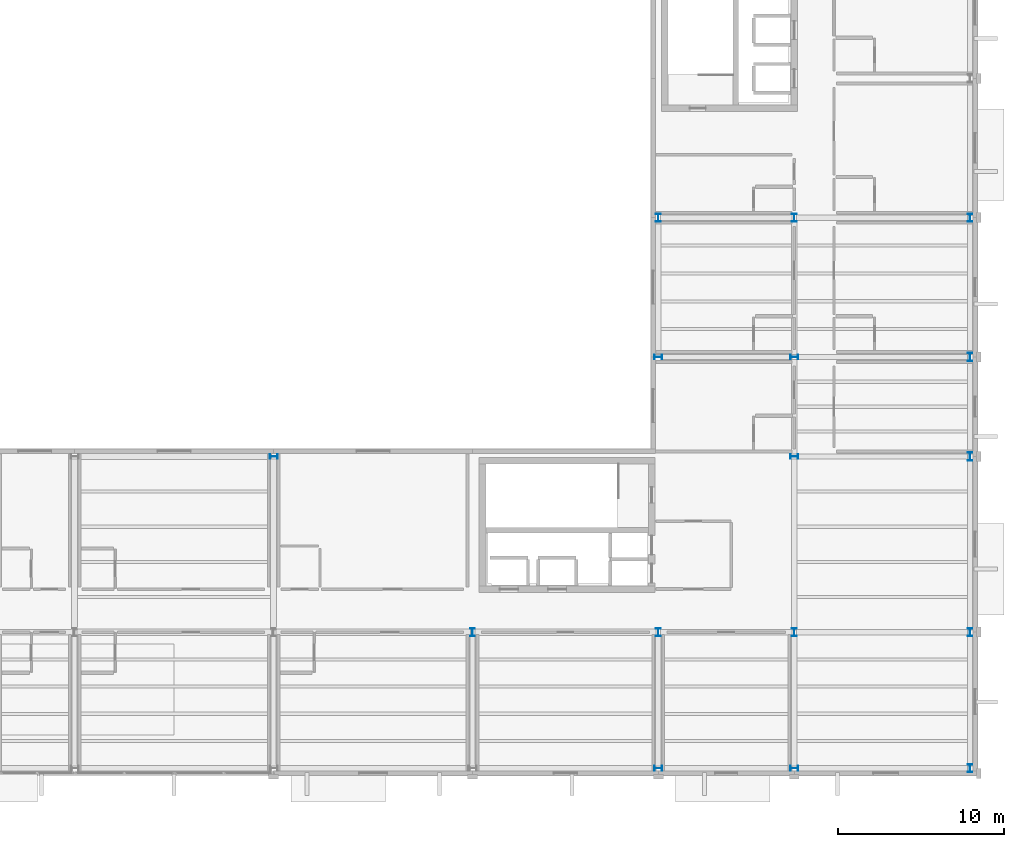
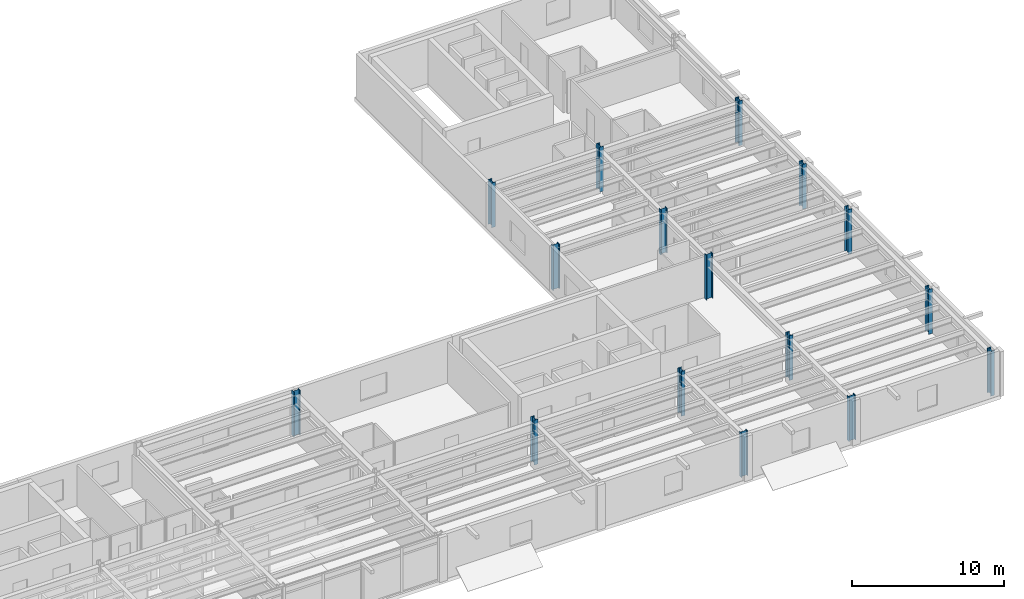
# One storey, part 2 of 19: 16 columns.
"""IFC4 building model written with IfcOpenShell, lengths in metres."""

from ifc_helpers import new_model, si_unit, direction, frame, origin, origin_2d, place, context, subcontext, project, spatial, i_section, extrude, material, material_profile, profile_set, type_object, element, save


model = new_model("IFC4")

# Units and contexts
model_context = context("Model", 3, precision=1e-05, world=origin(), true_north=direction((0.0, 1.0)))
body_context = subcontext(model_context, "Body", "Model", "MODEL_VIEW")
ifc_project = project(units=[si_unit("LENGTHUNIT", "METRE"), si_unit("AREAUNIT", "SQUARE_METRE"), si_unit("VOLUMEUNIT", "CUBIC_METRE"), si_unit("PLANEANGLEUNIT", "RADIAN"), si_unit("MASSUNIT", "GRAM", prefix="KILO")], contexts=[model_context])

# Site, building, storey
site_placement = place(None, origin())
site = spatial("IfcSite", under=ifc_project, at=site_placement, CompositionType="ELEMENT")
building_placement = place(site_placement, origin())
building = spatial("IfcBuilding", under=site, at=building_placement, Name="Sollismere Congress Hotel", CompositionType="ELEMENT")
storey_placement = place(building_placement, frame((0.0, 0.0, 44.60009765625)))
storey = spatial("IfcBuildingStorey", under=building, at=storey_placement, Name="L11", CompositionType="ELEMENT", Elevation=44.60009765625)

# Columns
ifc_material = material(Name="Steel ASTM A992 Grade 50", Category="steel")
ifc_material_profile = material_profile(ifc_material, i_section(OverallWidth=0.283935546875, OverallDepth=0.4951171875, WebThickness=0.0185546875, FlangeThickness=0.033447265625, at=origin_2d()), Name="W18X143")
ifc_profile_set = profile_set([ifc_material_profile], Name="Steel ASTM A992 Grade 50")
column_type = type_object("IfcColumnType", Name="COL-W18", PredefinedType="COLUMN", material=ifc_profile_set)
for number, where, z_axis, x_axis, name in (
    (1, (124.0, 18.800048828125, 0.0), (0.0, 0.0, 1.0), (0.0, 1.0, 0.0), "Column CL-L11-684"),
    (2, (136.0, 8.199951171875, 0.0), (0.0, 0.0, 1.0), (1.0, 0.0, 0.0), "Column CL-L11-752"),
    (3, (147.199951171875, 0.0, 0.0), (0.0, 0.0, 1.0), (0.0, 1.0, 0.0), "Column CL-L11-792"),
    (4, (147.199951171875, 8.199951171875, 0.0), (0.0, 0.0, 1.0), (1.0, 0.0, 0.0), "Column CL-L11-805"),
    (5, (147.199951171875, 24.800048828125, 0.0), (0.0, 0.0, 1.0), (0.0, 1.0, 0.0), "Column CL-L11-818"),
    (6, (147.199951171875, 33.199951171875, 0.0), (0.0, 0.0, 1.0), (1.0, 0.0, 0.0), "Column CL-L11-831"),
    (7, (155.39990234375, 0.0, 0.0), (0.0, 0.0, 1.0), (0.0, 1.0, 0.0), "Column CL-L11-867"),
    (8, (155.39990234375, 8.199951171875, 0.0), (0.0, 0.0, 1.0), (1.0, 0.0, 0.0), "Column CL-L11-880"),
    (9, (155.39990234375, 18.800048828125, 0.0), (0.0, 0.0, 1.0), (0.0, 1.0, 0.0), "Column CL-L11-893"),
    (10, (155.39990234375, 24.800048828125, 0.0), (0.0, 0.0, 1.0), (0.0, 1.0, 0.0), "Column CL-L11-906"),
    (11, (155.39990234375, 33.199951171875, 0.0), (0.0, 0.0, 1.0), (1.0, 0.0, 0.0), "Column CL-L11-919"),
    (12, (166.0, 0.0, 0.0), (0.0, 0.0, 1.0), (1.0, 0.0, 0.0), "Column CL-L11-955"),
    (13, (166.0, 8.199951171875, 0.0), (0.0, 0.0, 1.0), (1.0, 0.0, 0.0), "Column CL-L11-968"),
    (14, (166.0, 18.800048828125, 0.0), (0.0, 0.0, 1.0), (1.0, 0.0, 0.0), "Column CL-L11-981"),
    (15, (166.0, 24.800048828125, 0.0), (0.0, 0.0, 1.0), (1.0, 0.0, 0.0), "Column CL-L11-994"),
    (16, (166.0, 33.199951171875, 0.0), (0.0, 0.0, 1.0), (1.0, 0.0, 0.0), "Column CL-L11-1007"),
):
    element("IfcColumn", number, at=place(storey_placement, frame(where, z_axis=z_axis, x_axis=x_axis)), inside=storey, type_object=column_type, Name=name, PredefinedType="COLUMN", context=body_context, shape_type="SweptSolid", body=[
        extrude(i_section(OverallWidth=0.283935546875, OverallDepth=0.4951171875, WebThickness=0.0185546875, FlangeThickness=0.033447265625, at=origin_2d()), origin(), (0.0, 0.0, 1.0), 3.599853515625),
    ])

save(model, "model.ifc")
